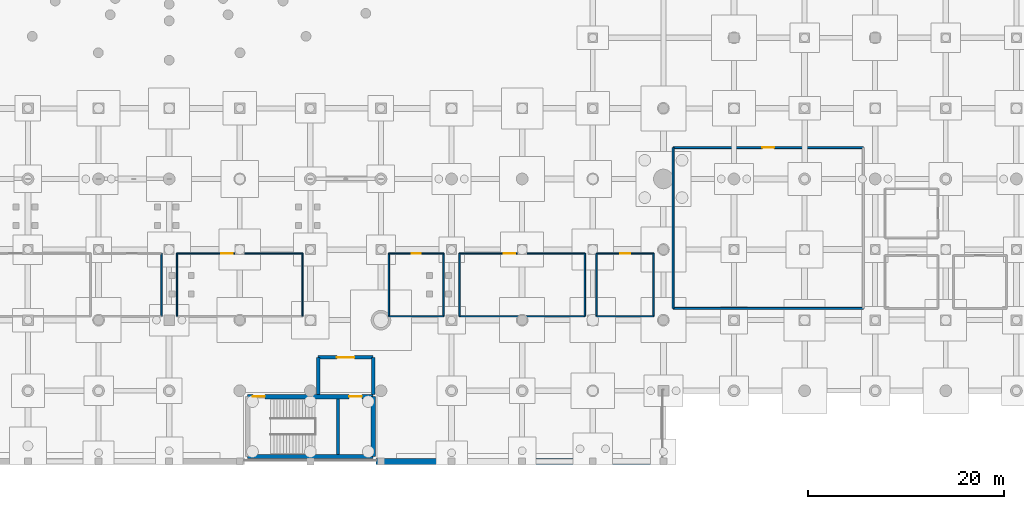
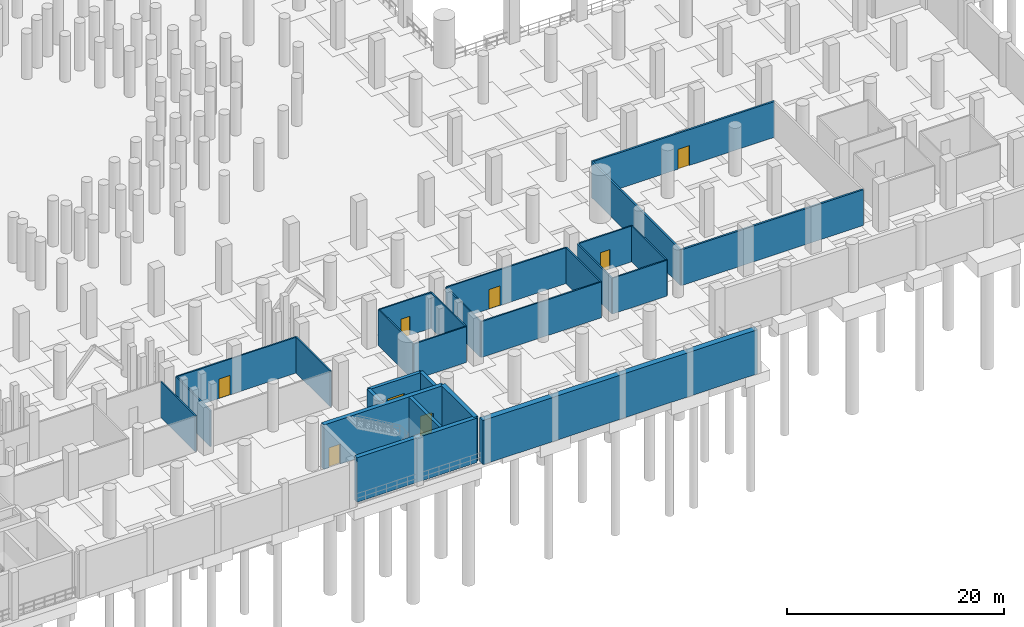
# One storey, part 24 of 37: 27 walls, 8 doors, 8 openings.
"""IFC4 building model written with IfcOpenShell, lengths in metres."""

from ifc_helpers import new_model, si_unit, direction, frame, frame_2d, origin, place, context, subcontext, project, spatial, rectangle, extrude, material, layer, layer_set, type_object, element, fill, save


model = new_model("IFC4")

# Units and contexts
model_context = context("Model", 3, precision=1e-05, world=origin(), true_north=direction((0.0, 1.0)))
body_context = subcontext(model_context, "Body", "Model", "MODEL_VIEW")
ifc_project = project(units=[si_unit("LENGTHUNIT", "METRE"), si_unit("AREAUNIT", "SQUARE_METRE"), si_unit("VOLUMEUNIT", "CUBIC_METRE"), si_unit("PLANEANGLEUNIT", "RADIAN"), si_unit("MASSUNIT", "GRAM", prefix="KILO")], contexts=[model_context])

# Site, building, storey
site_placement = place(None, origin())
site = spatial("IfcSite", under=ifc_project, at=site_placement, CompositionType="ELEMENT")
building_placement = place(site_placement, origin())
building = spatial("IfcBuilding", under=site, at=building_placement, Name="Qandorah Velis Arena", CompositionType="ELEMENT")
storey_placement = place(building_placement, frame((0.0, 0.0, -5.39990234375)))
storey = spatial("IfcBuildingStorey", under=building, at=storey_placement, Name="B1", CompositionType="ELEMENT", Elevation=-5.39990234375)

# Wall
ifc_material_1 = material(Name="Concrete C35/45", Category="concrete")
ifc_layer_1 = layer(ifc_material_1, 0.199951171875)
ifc_layer_set_1 = layer_set([ifc_layer_1], Name="Concrete C35/45")
wall_type_1 = type_object("IfcWallType", Name="ARC-WAL-FD60-200", PredefinedType="PARTITIONING", material=ifc_layer_set_1)
wall_1_placement = place(storey_placement, frame((116.199951171875, 15.60009765625, 0.0), z_axis=(0.0, 0.0, 1.0), x_axis=(1.0, 0.0, 0.0)))
element("IfcWall", 1, at=wall_1_placement, inside=storey, type_object=wall_type_1, Name="Interior partition B1-PLT-FIR (S)", PredefinedType="PARTITIONING", context=body_context, shape_type="SweptSolid", body=[
    extrude(rectangle(XDim=19.400146484375, YDim=0.199951171875, at=frame_2d((9.7001953125, 0.0))), origin(), (0.0, 0.0, 1.0), 4.039794921875),
])

# Wall, opening, door
wall_2_placement = place(storey_placement, frame((135.60009765625, 32.0, 0.0), z_axis=(0.0, 0.0, 1.0), x_axis=(-1.0, 0.0, 0.0)))
wall_2 = element("IfcWall", 2, at=wall_2_placement, inside=storey, type_object=wall_type_1, Name="Interior partition B1-PLT-FIR (N)", PredefinedType="PARTITIONING", context=body_context, shape_type="SweptSolid", body=[
    extrude(rectangle(XDim=19.400146484375, YDim=0.199951171875, at=frame_2d((9.7001953125, 0.0))), origin(), (0.0, 0.0, 1.0), 4.039794921875),
])
opening_1_placement = place(wall_2_placement, frame((9.10009765625, 0.0, 0.0)))
opening_1 = element("IfcOpeningElement", 3, at=opening_1_placement, cuts=wall_2, Name="Opening FD2", PredefinedType="OPENING", context=body_context, shape_type="SweptSolid", body=[
    extrude(rectangle(XDim=1.199951171875, YDim=2.25, at=frame_2d((0.60009765625, 1.125))), frame((0.0, 0.10986328125, 0.0), z_axis=(0.0, -1.0, 0.0), x_axis=(1.0, 0.0, 0.0)), (0.0, 0.0, 1.0), 0.219970703125),
])
ifc_material_2 = material(Name="Insulated fire-rated single steel door", Category="steel")
door_type_1 = type_object("IfcDoorType", Name="ARC-DR-FD1200", OperationType="NOTDEFINED", PredefinedType="DOOR", material=ifc_material_2)
door_1_placement = place(opening_1_placement, origin())
door_1 = element("IfcDoor", 4, at=door_1_placement, inside=storey, type_object=door_type_1, Name="Door B1-PLT-FIR", OperationType="SINGLE_SWING_LEFT", OverallHeight=2.25, OverallWidth=1.199951171875, PredefinedType="DOOR", context=body_context, shape_type="SweptSolid", body=[
    extrude(rectangle(XDim=1.199951171875, YDim=2.25, at=frame_2d((0.60009765625, 1.125))), frame((0.0, 0.02490234375, 0.0), z_axis=(0.0, -1.0, 0.0), x_axis=(1.0, 0.0, 0.0)), (0.0, 0.0, 1.0), 0.050048828125),
])
fill(opening_1, door_1)

# Walls
wall_3_placement = place(storey_placement, frame((116.199951171875, 32.0, 0.0), z_axis=(0.0, 0.0, 1.0), x_axis=(0.0, -1.0, 0.0)))
element("IfcWall", 5, at=wall_3_placement, inside=storey, type_object=wall_type_1, Name="Interior partition B1-PLT-FIR (W)", PredefinedType="PARTITIONING", context=body_context, shape_type="SweptSolid", body=[
    extrude(rectangle(XDim=16.39990234375, YDim=0.199951171875, at=frame_2d((8.199951171875, 0.0))), origin(), (0.0, 0.0, 1.0), 4.039794921875),
])
ifc_layer_2 = layer(ifc_material_1, 0.14990234375)
ifc_layer_set_2 = layer_set([ifc_layer_2], Name="Concrete C35/45")
wall_type_2 = type_object("IfcWallType", Name="ARC-WAL-PART150", PredefinedType="PARTITIONING", material=ifc_layer_set_2)
for number, where, z_axis, x_axis, name in (
    (6, (64.0, 14.800048828125, 0.0), (0.0, 0.0, 1.0), (0.0, 1.0, 0.0), "Interior partition B1-SHW-HOME (E)"),
    (7, (78.39990234375, 14.800048828125, 0.0), (0.0, 0.0, 1.0), (0.0, 1.0, 0.0), "Interior partition B1-ATH-AWAY (E)"),
):
    element("IfcWall", number, at=place(storey_placement, frame(where, z_axis=z_axis, x_axis=x_axis)), inside=storey, type_object=wall_type_2, Name=name, PredefinedType="PARTITIONING", context=body_context, shape_type="SweptSolid", body=[
        extrude(rectangle(XDim=6.39990234375, YDim=0.14990234375, at=frame_2d((3.199951171875, 0.0))), origin(), (0.0, 0.0, 1.0), 4.039794921875),
    ])

# Wall, opening, door
wall_4_placement = place(storey_placement, frame((78.39990234375, 21.199951171875, 0.0), z_axis=(0.0, 0.0, 1.0), x_axis=(-1.0, 0.0, 0.0)))
wall_4 = element("IfcWall", 8, at=wall_4_placement, inside=storey, type_object=wall_type_2, Name="Interior partition B1-ATH-AWAY (N)", PredefinedType="PARTITIONING", context=body_context, shape_type="SweptSolid", body=[
    extrude(rectangle(XDim=12.7998046875, YDim=0.14990234375, at=frame_2d((6.39990234375, 0.0))), origin(), (0.0, 0.0, 1.0), 4.039794921875),
])
opening_2_placement = place(wall_4_placement, frame((7.10009765625, 0.0, 0.0)))
opening_2 = element("IfcOpeningElement", 9, at=opening_2_placement, cuts=wall_4, Name="Opening D2", PredefinedType="OPENING", context=body_context, shape_type="SweptSolid", body=[
    extrude(rectangle(XDim=1.199951171875, YDim=2.199951171875, at=frame_2d((0.60009765625, 1.10009765625))), frame((0.0, 0.0849609375, 0.0), z_axis=(0.0, -1.0, 0.0), x_axis=(1.0, 0.0, 0.0)), (0.0, 0.0, 1.0), 0.169921875),
])
ifc_material_3 = material(Name="Solid-core hardwood veneer door", Category="wood")
door_type_2 = type_object("IfcDoorType", Name="ARC-DR-INT1200", OperationType="NOTDEFINED", PredefinedType="DOOR", material=ifc_material_3)
door_2_placement = place(opening_2_placement, origin())
door_2 = element("IfcDoor", 10, at=door_2_placement, inside=storey, type_object=door_type_2, Name="Door B1-ATH-AWAY", OperationType="SINGLE_SWING_LEFT", OverallHeight=2.199951171875, OverallWidth=1.199951171875, PredefinedType="DOOR", context=body_context, shape_type="SweptSolid", body=[
    extrude(rectangle(XDim=1.199951171875, YDim=2.199951171875, at=frame_2d((0.60009765625, 1.10009765625))), frame((0.0, 0.02490234375, 0.0), z_axis=(0.0, -1.0, 0.0), x_axis=(1.0, 0.0, 0.0)), (0.0, 0.0, 1.0), 0.050048828125),
])
fill(opening_2, door_2)

# Walls
wall_5_placement = place(storey_placement, frame((65.60009765625, 21.199951171875, 0.0), z_axis=(0.0, 0.0, 1.0), x_axis=(0.0, -1.0, 0.0)))
element("IfcWall", 11, at=wall_5_placement, inside=storey, type_object=wall_type_2, Name="Interior partition B1-ATH-AWAY (W)", PredefinedType="PARTITIONING", context=body_context, shape_type="SweptSolid", body=[
    extrude(rectangle(XDim=6.39990234375, YDim=0.14990234375, at=frame_2d((3.199951171875, 0.0))), origin(), (0.0, 0.0, 1.0), 4.039794921875),
])
wall_6_placement = place(storey_placement, frame((87.199951171875, 14.800048828125, 0.0), z_axis=(0.0, 0.0, 1.0), x_axis=(1.0, 0.0, 0.0)))
element("IfcWall", 12, at=wall_6_placement, inside=storey, type_object=wall_type_2, Name="Interior partition B1-SHW-AWAY (S)", PredefinedType="PARTITIONING", context=body_context, shape_type="SweptSolid", body=[
    extrude(rectangle(XDim=5.60009765625, YDim=0.14990234375, at=frame_2d((2.800048828125, 0.0))), origin(), (0.0, 0.0, 1.0), 4.039794921875),
])
wall_7_placement = place(storey_placement, frame((92.800048828125, 14.800048828125, 0.0), z_axis=(0.0, 0.0, 1.0), x_axis=(0.0, 1.0, 0.0)))
element("IfcWall", 13, at=wall_7_placement, inside=storey, type_object=wall_type_2, Name="Interior partition B1-SHW-AWAY (E)", PredefinedType="PARTITIONING", context=body_context, shape_type="SweptSolid", body=[
    extrude(rectangle(XDim=6.39990234375, YDim=0.14990234375, at=frame_2d((3.199951171875, 0.0))), origin(), (0.0, 0.0, 1.0), 4.039794921875),
])

# Wall, opening, door
wall_8_placement = place(storey_placement, frame((92.800048828125, 21.199951171875, 0.0), z_axis=(0.0, 0.0, 1.0), x_axis=(-1.0, 0.0, 0.0)))
wall_8 = element("IfcWall", 14, at=wall_8_placement, inside=storey, type_object=wall_type_2, Name="Interior partition B1-SHW-AWAY (N)", PredefinedType="PARTITIONING", context=body_context, shape_type="SweptSolid", body=[
    extrude(rectangle(XDim=5.60009765625, YDim=0.14990234375, at=frame_2d((2.800048828125, 0.0))), origin(), (0.0, 0.0, 1.0), 4.039794921875),
])
opening_3_placement = place(wall_8_placement, frame((2.324951171875, 0.0, 0.0)))
opening_3 = element("IfcOpeningElement", 15, at=opening_3_placement, cuts=wall_8, Name="Opening D4", PredefinedType="OPENING", context=body_context, shape_type="SweptSolid", body=[
    extrude(rectangle(XDim=0.949951171875, YDim=2.14990234375, at=frame_2d((0.47509765625, 1.074951171875))), frame((0.0, 0.0849609375, 0.0), z_axis=(0.0, -1.0, 0.0), x_axis=(1.0, 0.0, 0.0)), (0.0, 0.0, 1.0), 0.169921875),
])
ifc_material_4 = material(Name="Moisture-resistant laminate door")
door_type_3 = type_object("IfcDoorType", Name="ARC-DR-WC950", OperationType="NOTDEFINED", PredefinedType="DOOR", material=ifc_material_4)
door_3_placement = place(opening_3_placement, frame((0.949951171875, 0.0, 0.0), z_axis=(0.0, 0.0, 1.0), x_axis=(-1.0, 0.0, 0.0)))
door_3 = element("IfcDoor", 16, at=door_3_placement, inside=storey, type_object=door_type_3, Name="Door B1-SHW-AWAY", OperationType="SINGLE_SWING_RIGHT", OverallHeight=2.14990234375, OverallWidth=0.949951171875, PredefinedType="DOOR", context=body_context, shape_type="SweptSolid", body=[
    extrude(rectangle(XDim=0.949951171875, YDim=2.14990234375, at=frame_2d((0.47509765625, 1.074951171875))), frame((0.0, 0.02490234375, 0.0), z_axis=(0.0, -1.0, 0.0), x_axis=(1.0, 0.0, 0.0)), (0.0, 0.0, 1.0), 0.050048828125),
])
fill(opening_3, door_3)

# Walls
wall_9_placement = place(storey_placement, frame((87.199951171875, 21.199951171875, 0.0), z_axis=(0.0, 0.0, 1.0), x_axis=(0.0, -1.0, 0.0)))
element("IfcWall", 17, at=wall_9_placement, inside=storey, type_object=wall_type_2, Name="Interior partition B1-SHW-AWAY (W)", PredefinedType="PARTITIONING", context=body_context, shape_type="SweptSolid", body=[
    extrude(rectangle(XDim=6.39990234375, YDim=0.14990234375, at=frame_2d((3.199951171875, 0.0))), origin(), (0.0, 0.0, 1.0), 4.039794921875),
])
wall_10_placement = place(storey_placement, frame((94.39990234375, 14.800048828125, 0.0), z_axis=(0.0, 0.0, 1.0), x_axis=(1.0, 0.0, 0.0)))
element("IfcWall", 18, at=wall_10_placement, inside=storey, type_object=wall_type_2, Name="Interior partition B1-MED-DOP (S)", PredefinedType="PARTITIONING", context=body_context, shape_type="SweptSolid", body=[
    extrude(rectangle(XDim=12.800048828125, YDim=0.14990234375, at=frame_2d((6.39990234375, 0.0))), origin(), (0.0, 0.0, 1.0), 4.039794921875),
])
wall_11_placement = place(storey_placement, frame((107.199951171875, 14.800048828125, 0.0), z_axis=(0.0, 0.0, 1.0), x_axis=(0.0, 1.0, 0.0)))
element("IfcWall", 19, at=wall_11_placement, inside=storey, type_object=wall_type_2, Name="Interior partition B1-MED-DOP (E)", PredefinedType="PARTITIONING", context=body_context, shape_type="SweptSolid", body=[
    extrude(rectangle(XDim=6.39990234375, YDim=0.14990234375, at=frame_2d((3.199951171875, 0.0))), origin(), (0.0, 0.0, 1.0), 4.039794921875),
])

# Wall, opening, door
wall_12_placement = place(storey_placement, frame((107.199951171875, 21.199951171875, 0.0), z_axis=(0.0, 0.0, 1.0), x_axis=(-1.0, 0.0, 0.0)))
wall_12 = element("IfcWall", 20, at=wall_12_placement, inside=storey, type_object=wall_type_2, Name="Interior partition B1-MED-DOP (N)", PredefinedType="PARTITIONING", context=body_context, shape_type="SweptSolid", body=[
    extrude(rectangle(XDim=12.800048828125, YDim=0.14990234375, at=frame_2d((6.39990234375, 0.0))), origin(), (0.0, 0.0, 1.0), 4.039794921875),
])
opening_4_placement = place(wall_12_placement, frame((7.10009765625, 0.0, 0.0)))
opening_4 = element("IfcOpeningElement", 21, at=opening_4_placement, cuts=wall_12, Name="Opening D2", PredefinedType="OPENING", context=body_context, shape_type="SweptSolid", body=[
    extrude(rectangle(XDim=1.199951171875, YDim=2.199951171875, at=frame_2d((0.60009765625, 1.10009765625))), frame((0.0, 0.0849609375, 0.0), z_axis=(0.0, -1.0, 0.0), x_axis=(1.0, 0.0, 0.0)), (0.0, 0.0, 1.0), 0.169921875),
])
door_4_placement = place(opening_4_placement, origin())
door_4 = element("IfcDoor", 22, at=door_4_placement, inside=storey, type_object=door_type_2, Name="Door B1-MED-DOP", OperationType="SINGLE_SWING_LEFT", OverallHeight=2.199951171875, OverallWidth=1.199951171875, PredefinedType="DOOR", context=body_context, shape_type="SweptSolid", body=[
    extrude(rectangle(XDim=1.199951171875, YDim=2.199951171875, at=frame_2d((0.60009765625, 1.10009765625))), frame((0.0, 0.02490234375, 0.0), z_axis=(0.0, -1.0, 0.0), x_axis=(1.0, 0.0, 0.0)), (0.0, 0.0, 1.0), 0.050048828125),
])
fill(opening_4, door_4)

# Walls
wall_13_placement = place(storey_placement, frame((94.39990234375, 21.199951171875, 0.0), z_axis=(0.0, 0.0, 1.0), x_axis=(0.0, -1.0, 0.0)))
element("IfcWall", 23, at=wall_13_placement, inside=storey, type_object=wall_type_2, Name="Interior partition B1-MED-DOP (W)", PredefinedType="PARTITIONING", context=body_context, shape_type="SweptSolid", body=[
    extrude(rectangle(XDim=6.39990234375, YDim=0.14990234375, at=frame_2d((3.199951171875, 0.0))), origin(), (0.0, 0.0, 1.0), 4.039794921875),
])
wall_14_placement = place(storey_placement, frame((108.39990234375, 14.800048828125, 0.0), z_axis=(0.0, 0.0, 1.0), x_axis=(1.0, 0.0, 0.0)))
element("IfcWall", 24, at=wall_14_placement, inside=storey, type_object=wall_type_2, Name="Interior partition B1-OFF-CHG (S)", PredefinedType="PARTITIONING", context=body_context, shape_type="SweptSolid", body=[
    extrude(rectangle(XDim=5.800048828125, YDim=0.14990234375, at=frame_2d((2.89990234375, 0.0))), origin(), (0.0, 0.0, 1.0), 4.039794921875),
])
wall_15_placement = place(storey_placement, frame((114.199951171875, 14.800048828125, 0.0), z_axis=(0.0, 0.0, 1.0), x_axis=(0.0, 1.0, 0.0)))
element("IfcWall", 25, at=wall_15_placement, inside=storey, type_object=wall_type_2, Name="Interior partition B1-OFF-CHG (E)", PredefinedType="PARTITIONING", context=body_context, shape_type="SweptSolid", body=[
    extrude(rectangle(XDim=6.39990234375, YDim=0.14990234375, at=frame_2d((3.199951171875, 0.0))), origin(), (0.0, 0.0, 1.0), 4.039794921875),
])

# Wall, opening, door
wall_16_placement = place(storey_placement, frame((114.199951171875, 21.199951171875, 0.0), z_axis=(0.0, 0.0, 1.0), x_axis=(-1.0, 0.0, 0.0)))
wall_16 = element("IfcWall", 26, at=wall_16_placement, inside=storey, type_object=wall_type_2, Name="Interior partition B1-OFF-CHG (N)", PredefinedType="PARTITIONING", context=body_context, shape_type="SweptSolid", body=[
    extrude(rectangle(XDim=5.800048828125, YDim=0.14990234375, at=frame_2d((2.89990234375, 0.0))), origin(), (0.0, 0.0, 1.0), 4.039794921875),
])
opening_5_placement = place(wall_16_placement, frame((2.39990234375, 0.0, 0.0)))
opening_5 = element("IfcOpeningElement", 27, at=opening_5_placement, cuts=wall_16, Name="Opening D1", PredefinedType="OPENING", context=body_context, shape_type="SweptSolid", body=[
    extrude(rectangle(XDim=1.0, YDim=2.199951171875, at=frame_2d((0.5, 1.10009765625))), frame((0.0, 0.0849609375, 0.0), z_axis=(0.0, -1.0, 0.0), x_axis=(1.0, 0.0, 0.0)), (0.0, 0.0, 1.0), 0.169921875),
])
door_type_4 = type_object("IfcDoorType", Name="ARC-DR-INT1000", OperationType="NOTDEFINED", PredefinedType="DOOR", material=ifc_material_3)
door_5_placement = place(opening_5_placement, frame((1.0, 0.0, 0.0), z_axis=(0.0, 0.0, 1.0), x_axis=(-1.0, 0.0, 0.0)))
door_5 = element("IfcDoor", 28, at=door_5_placement, inside=storey, type_object=door_type_4, Name="Door B1-OFF-CHG", OperationType="SINGLE_SWING_RIGHT", OverallHeight=2.199951171875, OverallWidth=1.0, PredefinedType="DOOR", context=body_context, shape_type="SweptSolid", body=[
    extrude(rectangle(XDim=1.0, YDim=2.199951171875, at=frame_2d((0.5, 1.10009765625))), frame((0.0, 0.02490234375, 0.0), z_axis=(0.0, -1.0, 0.0), x_axis=(1.0, 0.0, 0.0)), (0.0, 0.0, 1.0), 0.050048828125),
])
fill(opening_5, door_5)

# Walls
wall_17_placement = place(storey_placement, frame((108.39990234375, 21.199951171875, 0.0), z_axis=(0.0, 0.0, 1.0), x_axis=(0.0, -1.0, 0.0)))
element("IfcWall", 29, at=wall_17_placement, inside=storey, type_object=wall_type_2, Name="Interior partition B1-OFF-CHG (W)", PredefinedType="PARTITIONING", context=body_context, shape_type="SweptSolid", body=[
    extrude(rectangle(XDim=6.39990234375, YDim=0.14990234375, at=frame_2d((3.199951171875, 0.0))), origin(), (0.0, 0.0, 1.0), 4.039794921875),
])
ifc_material_5 = material(Name="Concrete C40/50", Category="concrete")
ifc_layer_3 = layer(ifc_material_5, 0.449951171875)
ifc_layer_set_3 = layer_set([ifc_layer_3], Name="Concrete C40/50")
wall_type_3 = type_object("IfcWallType", Name="STR-WAL-CORE450", PredefinedType="SHEAR", material=ifc_layer_set_3)
wall_18_placement = place(storey_placement, frame((72.800048828125, 0.5, 0.0), z_axis=(0.0, 0.0, 1.0), x_axis=(1.0, 0.0, 0.0)))
element("IfcWall", 30, at=wall_18_placement, inside=storey, type_object=wall_type_3, Name="Core CORE-02 shear wall S (B1)", PredefinedType="SHEAR", context=body_context, shape_type="SweptSolid", body=[
    extrude(rectangle(XDim=12.800048828125, YDim=0.449951171875, at=frame_2d((6.39990234375, 0.0))), origin(), (0.0, 0.0, 1.0), 5.02001953125),
])

# Wall, openings, doors
wall_19_placement = place(storey_placement, frame((72.800048828125, 6.60009765625, 0.0), z_axis=(0.0, 0.0, 1.0), x_axis=(1.0, 0.0, 0.0)))
wall_19 = element("IfcWall", 31, at=wall_19_placement, inside=storey, type_object=wall_type_3, Name="Core CORE-02 shear wall N (B1)", PredefinedType="SHEAR", context=body_context, shape_type="SweptSolid", body=[
    extrude(rectangle(XDim=12.800048828125, YDim=0.449951171875, at=frame_2d((6.39990234375, 0.0))), origin(), (0.0, 0.0, 1.0), 5.02001953125),
])
opening_6_placement = place(wall_19_placement, frame((0.550048828125, 0.0, 0.0)))
opening_6 = element("IfcOpeningElement", 32, at=opening_6_placement, cuts=wall_19, Name="Opening SD1", PredefinedType="OPENING", context=body_context, shape_type="SweptSolid", body=[
    extrude(rectangle(XDim=1.199951171875, YDim=2.25, at=frame_2d((0.60009765625, 1.125))), frame((0.0, 0.23486328125, 0.0), z_axis=(0.0, -1.0, 0.0), x_axis=(1.0, 0.0, 0.0)), (0.0, 0.0, 1.0), 0.469970703125),
])
opening_7_placement = place(wall_19_placement, frame((10.35791015625, 0.0, 0.0)))
opening_7 = element("IfcOpeningElement", 33, at=opening_7_placement, cuts=wall_19, Name="Opening LD2", PredefinedType="OPENING", context=body_context, shape_type="SweptSolid", body=[
    extrude(rectangle(XDim=1.300048828125, YDim=2.25, at=frame_2d((0.64990234375, 1.125))), frame((0.0, 0.23486328125, 0.0), z_axis=(0.0, -1.0, 0.0), x_axis=(1.0, 0.0, 0.0)), (0.0, 0.0, 1.0), 0.469970703125),
])
ifc_material_6 = material(Name="Firefighting stainless sliding lift landing door", Category="steel")
door_type_5 = type_object("IfcDoorType", Name="ARC-DR-LD1300", OperationType="NOTDEFINED", PredefinedType="DOOR", material=ifc_material_6)
door_6_placement = place(opening_7_placement, origin())
door_6 = element("IfcDoor", 34, at=door_6_placement, inside=storey, type_object=door_type_5, Name="Lift FL2 sliding landing door (B1)", OperationType="SLIDING_TO_LEFT", OverallHeight=2.25, OverallWidth=1.300048828125, PredefinedType="DOOR", context=body_context, shape_type="SweptSolid", body=[
    extrude(rectangle(XDim=1.300048828125, YDim=2.25, at=frame_2d((0.64990234375, 1.125))), frame((0.0, 0.02490234375, 0.0), z_axis=(0.0, -1.0, 0.0), x_axis=(1.0, 0.0, 0.0)), (0.0, 0.0, 1.0), 0.050048828125),
])
fill(opening_7, door_6)
ifc_material_7 = material(Name="Self-closing fire-rated stair steel door", Category="steel")
door_type_6 = type_object("IfcDoorType", Name="ARC-DR-ST1200", OperationType="NOTDEFINED", PredefinedType="DOOR", material=ifc_material_7)
door_7_placement = place(opening_6_placement, frame((1.199951171875, 0.0, 0.0), z_axis=(0.0, 0.0, 1.0), x_axis=(-1.0, 0.0, 0.0)))
door_7 = element("IfcDoor", 35, at=door_7_placement, inside=storey, type_object=door_type_6, Name="Stair ST2 fire door (B1)", OperationType="SINGLE_SWING_LEFT", OverallHeight=2.25, OverallWidth=1.199951171875, PredefinedType="DOOR", context=body_context, shape_type="SweptSolid", body=[
    extrude(rectangle(XDim=1.199951171875, YDim=2.25, at=frame_2d((0.60009765625, 1.125))), frame((0.0, 0.02490234375, 0.0), z_axis=(0.0, -1.0, 0.0), x_axis=(1.0, 0.0, 0.0)), (0.0, 0.0, 1.0), 0.050048828125),
])
fill(opening_6, door_7)

# Walls
wall_20_placement = place(storey_placement, frame((85.60009765625, 0.5, 0.0), z_axis=(0.0, 0.0, 1.0), x_axis=(0.0, 1.0, 0.0)))
element("IfcWall", 36, at=wall_20_placement, inside=storey, type_object=wall_type_3, Name="Core CORE-02 shear wall E (B1)", PredefinedType="SHEAR", context=body_context, shape_type="SweptSolid", body=[
    extrude(rectangle(XDim=6.10009765625, YDim=0.449951171875, at=frame_2d((3.050048828125, 0.0))), origin(), (0.0, 0.0, 1.0), 5.02001953125),
])
ifc_layer_4 = layer(ifc_material_5, 0.60009765625)
ifc_layer_set_4 = layer_set([ifc_layer_4], Name="Concrete C40/50")
wall_type_4 = type_object("IfcWallType", Name="STR-WAL-RET600", PredefinedType="USERDEFINED", material=ifc_layer_set_4)
wall_21_placement = place(storey_placement, frame((85.89990234375, 0.0, 0.0), z_axis=(0.0, 0.0, 1.0), x_axis=(1.0, 0.0, 0.0)))
element("IfcWall", 37, at=wall_21_placement, inside=storey, type_object=wall_type_4, Name="Basement retaining wall RET-S3", ObjectType="RETAINING WALL", PredefinedType="USERDEFINED", context=body_context, shape_type="SweptSolid", body=[
    extrude(rectangle(XDim=29.300048828125, YDim=0.60009765625, at=frame_2d((14.64990234375, 0.0))), origin(), (0.0, 0.0, 1.0), 4.97998046875),
])
ifc_layer_5 = layer(ifc_material_5, 0.35009765625)
ifc_layer_set_5 = layer_set([ifc_layer_5], Name="Concrete C40/50")
wall_type_5 = type_object("IfcWallType", Name="STR-WAL-SH350", PredefinedType="SHEAR", material=ifc_layer_set_5)
wall_22_placement = place(storey_placement, frame((82.01611328125, 0.72509765625, 0.0), z_axis=(0.0, 0.0, 1.0), x_axis=(0.0, 1.0, 0.0)))
element("IfcWall", 38, at=wall_22_placement, inside=storey, type_object=wall_type_5, Name="Core CORE-02 shaft divider shear wall (B1)", PredefinedType="SHEAR", context=body_context, shape_type="SweptSolid", body=[
    extrude(rectangle(XDim=5.64990234375, YDim=0.35009765625, at=frame_2d((2.824951171875, 0.0))), origin(), (0.0, 0.0, 1.0), 5.02001953125),
])
wall_23_placement = place(storey_placement, frame((85.60009765625, 6.800048828125, 0.0), z_axis=(0.0, 0.0, 1.0), x_axis=(0.0, 1.0, 0.0)))
element("IfcWall", 39, at=wall_23_placement, inside=storey, type_object=wall_type_5, Name="Interior partition FFL-FL2-B1 (E)", PredefinedType="SHEAR", context=body_context, shape_type="SweptSolid", body=[
    extrude(rectangle(XDim=3.800048828125, YDim=0.35009765625, at=frame_2d((1.89990234375, 0.0))), origin(), (0.0, 0.0, 1.0), 4.039794921875),
])

# Wall, opening, door
wall_24_placement = place(storey_placement, frame((85.60009765625, 10.60009765625, 0.0), z_axis=(0.0, 0.0, 1.0), x_axis=(-1.0, 0.0, 0.0)))
wall_24 = element("IfcWall", 40, at=wall_24_placement, inside=storey, type_object=wall_type_5, Name="Interior partition FFL-FL2-B1 (N)", PredefinedType="SHEAR", context=body_context, shape_type="SweptSolid", body=[
    extrude(rectangle(XDim=5.60009765625, YDim=0.35009765625, at=frame_2d((2.800048828125, 0.0))), origin(), (0.0, 0.0, 1.0), 4.039794921875),
])
opening_8_placement = place(wall_24_placement, frame((1.89990234375, 0.0, 0.0)))
opening_8 = element("IfcOpeningElement", 41, at=opening_8_placement, cuts=wall_24, Name="Opening FD1", PredefinedType="OPENING", context=body_context, shape_type="SweptSolid", body=[
    extrude(rectangle(XDim=1.800048828125, YDim=2.300048828125, at=frame_2d((0.89990234375, 1.14990234375))), frame((0.0, 0.18505859375, 0.0), z_axis=(0.0, -1.0, 0.0), x_axis=(1.0, 0.0, 0.0)), (0.0, 0.0, 1.0), 0.3701171875),
])
ifc_material_8 = material(Name="Insulated fire-rated double steel door", Category="steel")
door_type_7 = type_object("IfcDoorType", Name="ARC-DR-FD1800", OperationType="NOTDEFINED", PredefinedType="DOOR", material=ifc_material_8)
door_8_placement = place(opening_8_placement, origin())
door_8 = element("IfcDoor", 42, at=door_8_placement, inside=storey, type_object=door_type_7, Name="Door FFL-FL2-B1", OperationType="DOUBLE_DOOR_SINGLE_SWING", OverallHeight=2.300048828125, OverallWidth=1.800048828125, PredefinedType="DOOR", context=body_context, shape_type="SweptSolid", body=[
    extrude(rectangle(XDim=1.800048828125, YDim=2.300048828125, at=frame_2d((0.89990234375, 1.14990234375))), frame((0.0, 0.02490234375, 0.0), z_axis=(0.0, -1.0, 0.0), x_axis=(1.0, 0.0, 0.0)), (0.0, 0.0, 1.0), 0.050048828125),
])
fill(opening_8, door_8)

# Wall
wall_25_placement = place(storey_placement, frame((80.0, 10.60009765625, 0.0), z_axis=(0.0, 0.0, 1.0), x_axis=(0.0, -1.0, 0.0)))
element("IfcWall", 43, at=wall_25_placement, inside=storey, type_object=wall_type_5, Name="Interior partition FFL-FL2-B1 (W)", PredefinedType="SHEAR", context=body_context, shape_type="SweptSolid", body=[
    extrude(rectangle(XDim=3.800048828125, YDim=0.35009765625, at=frame_2d((1.89990234375, 0.0))), origin(), (0.0, 0.0, 1.0), 4.039794921875),
])

save(model, "model.ifc")
